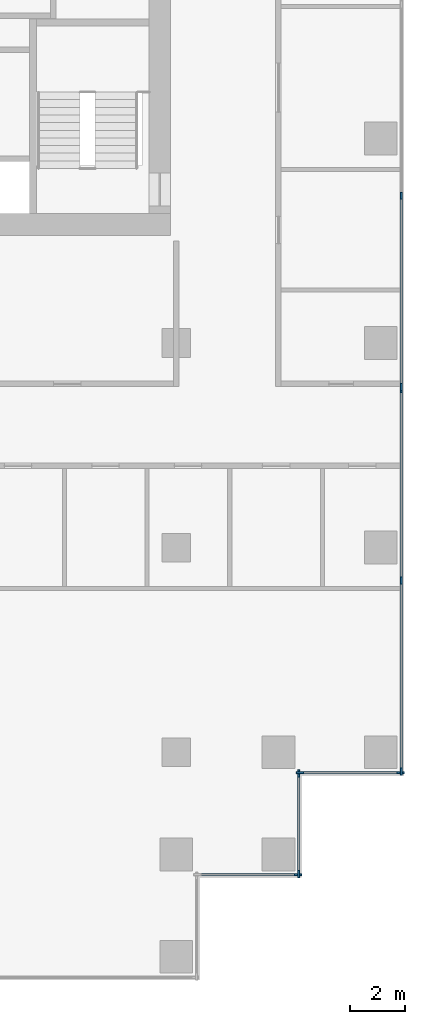
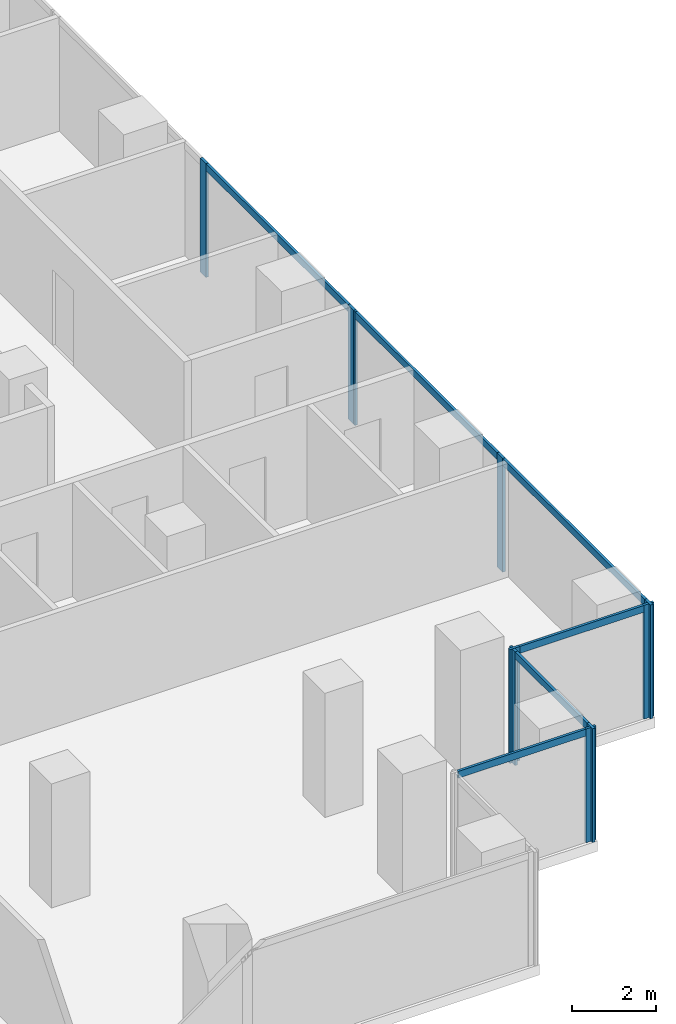
# One storey, part 3 of 10: 16 members, 5 elements without a shape of their own.
"""IFC4 building model written with IfcOpenShell, lengths in metres."""

from ifc_helpers import new_model, si_unit, direction, frame, origin, origin_2d, place, context, subcontext, project, spatial, rectangle, extrude, material, material_profile, profile_set, type_object, element, aggregate, save


model = new_model("IFC4")

# Units and contexts
model_context = context("Model", 3, precision=1e-05, world=origin(), true_north=direction((0.0, 1.0)))
body_context = subcontext(model_context, "Body", "Model", "MODEL_VIEW")
ifc_project = project(units=[si_unit("LENGTHUNIT", "METRE"), si_unit("AREAUNIT", "SQUARE_METRE"), si_unit("VOLUMEUNIT", "CUBIC_METRE"), si_unit("PLANEANGLEUNIT", "RADIAN"), si_unit("MASSUNIT", "GRAM", prefix="KILO")], contexts=[model_context])

# Site, building, storey
site_placement = place(None, origin())
site = spatial("IfcSite", under=ifc_project, at=site_placement, CompositionType="ELEMENT")
building_placement = place(site_placement, origin())
building = spatial("IfcBuilding", under=site, at=building_placement, Name="Pilkhan Gate Tower", CompositionType="ELEMENT")
storey_placement = place(building_placement, frame((0.0, 0.0, 169.300048828125)))
storey = spatial("IfcBuildingStorey", under=building, at=storey_placement, Name="L43", CompositionType="ELEMENT", Elevation=169.300048828125)

# Curtain wall, members
ifc_material_1 = material(Name="Pale anodised aluminium, clear low-iron double glazing", Category="aluminium")
curtain_wall_type = type_object("IfcCurtainWallType", Name="Office unitised curtain wall CW-O1", PredefinedType="USERDEFINED", material=ifc_material_1)
curtain_wall_1_placement = place(storey_placement, origin())
curtain_wall_1 = element("IfcCurtainWall", 1, at=curtain_wall_1_placement, inside=storey, type_object=curtain_wall_type, Name="Office unitised curtain wall CW-O1 L43 E", ObjectType="UNITISED CURTAIN WALL", PredefinedType="USERDEFINED")
ifc_material_2 = material(Name="Pale anodised aluminium", Category="aluminium")
ifc_material_profile_1 = material_profile(ifc_material_2, rectangle(XDim=0.070068359375, YDim=0.27490234375, at=origin_2d()), Name="Mullion 275x70")
ifc_profile_set_1 = profile_set([ifc_material_profile_1], Name="Pale anodised aluminium")
member_type_1 = type_object("IfcMemberType", Name="Mullion CW-O1 275x70", PredefinedType="MULLION", material=ifc_profile_set_1)
member_1_placement = place(storey_placement, frame((98.25, 51.784912109375, 0.0), z_axis=(0.0, 0.0, 1.0), x_axis=(-1.0, 0.0, 0.0)))
member_1 = element("IfcMember", 2, at=member_1_placement, type_object=member_type_1, Name="CW-O1 mullion 1", PredefinedType="MULLION", context=body_context, shape_type="SweptSolid", body=[
    extrude(rectangle(XDim=0.070068359375, YDim=0.27490234375, at=origin_2d()), origin(), (0.0, 0.0, 1.0), 3.300048828125),
])
member_2_placement = place(storey_placement, frame((98.25, 58.800048828125, 0.0), z_axis=(0.0, 0.0, 1.0), x_axis=(-1.0, 0.0, 0.0)))
member_2 = element("IfcMember", 3, at=member_2_placement, type_object=member_type_1, Name="CW-O1 mullion 2", PredefinedType="MULLION", context=body_context, shape_type="SweptSolid", body=[
    extrude(rectangle(XDim=0.070068359375, YDim=0.27490234375, at=origin_2d()), origin(), (0.0, 0.0, 1.0), 3.300048828125),
])
member_3_placement = place(storey_placement, frame((98.25, 65.81494140625, 0.0), z_axis=(0.0, 0.0, 1.0), x_axis=(-1.0, 0.0, 0.0)))
member_3 = element("IfcMember", 4, at=member_3_placement, type_object=member_type_1, Name="CW-O1 mullion 3", PredefinedType="MULLION", context=body_context, shape_type="SweptSolid", body=[
    extrude(rectangle(XDim=0.070068359375, YDim=0.27490234375, at=origin_2d()), origin(), (0.0, 0.0, 1.0), 3.300048828125),
])

curtain_wall_2_placement = place(storey_placement, origin())
curtain_wall_2 = element("IfcCurtainWall", 5, at=curtain_wall_2_placement, inside=storey, type_object=curtain_wall_type, Name="Office unitised curtain wall CW-O1 L43 E", ObjectType="UNITISED CURTAIN WALL", PredefinedType="USERDEFINED")
member_4_placement = place(storey_placement, frame((98.25, 65.885009765625, 0.0), z_axis=(0.0, 0.0, 1.0), x_axis=(-1.0, 0.0, 0.0)))
member_4 = element("IfcMember", 6, at=member_4_placement, type_object=member_type_1, Name="CW-O1 mullion 1", PredefinedType="MULLION", context=body_context, shape_type="SweptSolid", body=[
    extrude(rectangle(XDim=0.070068359375, YDim=0.27490234375, at=origin_2d()), origin(), (0.0, 0.0, 1.0), 3.300048828125),
])
member_5_placement = place(storey_placement, frame((98.25, 72.89990234375, 0.0), z_axis=(0.0, 0.0, 1.0), x_axis=(-1.0, 0.0, 0.0)))
member_5 = element("IfcMember", 7, at=member_5_placement, type_object=member_type_1, Name="CW-O1 mullion 2", PredefinedType="MULLION", context=body_context, shape_type="SweptSolid", body=[
    extrude(rectangle(XDim=0.070068359375, YDim=0.27490234375, at=origin_2d()), origin(), (0.0, 0.0, 1.0), 3.300048828125),
])

# Curtain wall, member
curtain_wall_3_placement = place(storey_placement, origin())
curtain_wall_3 = element("IfcCurtainWall", 8, at=curtain_wall_3_placement, inside=storey, type_object=curtain_wall_type, Name="Office unitised curtain wall CW-O1 L43 S", ObjectType="UNITISED CURTAIN WALL", PredefinedType="USERDEFINED")
member_6_placement = place(storey_placement, frame((94.465087890625, 48.0, 0.0), z_axis=(0.0, 0.0, 1.0), x_axis=(0.0, 1.0, 0.0)))
member_6 = element("IfcMember", 9, at=member_6_placement, type_object=member_type_1, Name="CW-O1 mullion 2", PredefinedType="MULLION", context=body_context, shape_type="SweptSolid", body=[
    extrude(rectangle(XDim=0.070068359375, YDim=0.27490234375, at=origin_2d()), origin(), (0.0, 0.0, 1.0), 3.300048828125),
])

# Curtain wall, members
curtain_wall_4_placement = place(storey_placement, origin())
curtain_wall_4 = element("IfcCurtainWall", 10, at=curtain_wall_4_placement, inside=storey, type_object=curtain_wall_type, Name="Office unitised curtain wall CW-O1 L43 E", ObjectType="UNITISED CURTAIN WALL", PredefinedType="USERDEFINED")
member_7_placement = place(storey_placement, frame((94.5, 48.034912109375, 0.0), z_axis=(0.0, 0.0, 1.0), x_axis=(-1.0, 0.0, 0.0)))
member_7 = element("IfcMember", 11, at=member_7_placement, type_object=member_type_1, Name="CW-O1 mullion 1", PredefinedType="MULLION", context=body_context, shape_type="SweptSolid", body=[
    extrude(rectangle(XDim=0.070068359375, YDim=0.27490234375, at=origin_2d()), origin(), (0.0, 0.0, 1.0), 3.300048828125),
])
member_8_placement = place(storey_placement, frame((94.5, 51.715087890625, 0.0), z_axis=(0.0, 0.0, 1.0), x_axis=(-1.0, 0.0, 0.0)))
member_8 = element("IfcMember", 12, at=member_8_placement, type_object=member_type_1, Name="CW-O1 mullion 2", PredefinedType="MULLION", context=body_context, shape_type="SweptSolid", body=[
    extrude(rectangle(XDim=0.070068359375, YDim=0.27490234375, at=origin_2d()), origin(), (0.0, 0.0, 1.0), 3.300048828125),
])

curtain_wall_5_placement = place(storey_placement, origin())
curtain_wall_5 = element("IfcCurtainWall", 13, at=curtain_wall_5_placement, inside=storey, type_object=curtain_wall_type, Name="Office unitised curtain wall CW-O1 L43 S", ObjectType="UNITISED CURTAIN WALL", PredefinedType="USERDEFINED")
member_9_placement = place(storey_placement, frame((94.534912109375, 51.75, 0.0), z_axis=(0.0, 0.0, 1.0), x_axis=(0.0, 1.0, 0.0)))
member_9 = element("IfcMember", 14, at=member_9_placement, type_object=member_type_1, Name="CW-O1 mullion 1", PredefinedType="MULLION", context=body_context, shape_type="SweptSolid", body=[
    extrude(rectangle(XDim=0.070068359375, YDim=0.27490234375, at=origin_2d()), origin(), (0.0, 0.0, 1.0), 3.300048828125),
])
member_10_placement = place(storey_placement, frame((98.215087890625, 51.75, 0.0), z_axis=(0.0, 0.0, 1.0), x_axis=(0.0, 1.0, 0.0)))
member_10 = element("IfcMember", 15, at=member_10_placement, type_object=member_type_1, Name="CW-O1 mullion 2", PredefinedType="MULLION", context=body_context, shape_type="SweptSolid", body=[
    extrude(rectangle(XDim=0.070068359375, YDim=0.27490234375, at=origin_2d()), origin(), (0.0, 0.0, 1.0), 3.300048828125),
])

# Member
ifc_material_profile_2 = material_profile(ifc_material_2, rectangle(XDim=0.070068359375, YDim=0.199951171875, at=origin_2d()), Name="Transom 200x70")
ifc_profile_set_2 = profile_set([ifc_material_profile_2], Name="Pale anodised aluminium")
member_type_2 = type_object("IfcMemberType", Name="Transom CW-O1 200x70", PredefinedType="USERDEFINED", material=ifc_profile_set_2)
member_11_placement = place(storey_placement, frame((98.25, 51.820068359375, 3.199951171875), z_axis=(0.0, 1.0, 0.0), x_axis=(-1.0, 0.0, 0.0)))
member_11 = element("IfcMember", 16, at=member_11_placement, type_object=member_type_2, Name="CW-O1 transom 1", ObjectType="TRANSOM", PredefinedType="USERDEFINED", context=body_context, shape_type="SweptSolid", body=[
    extrude(rectangle(XDim=0.070068359375, YDim=0.199951171875, at=origin_2d()), origin(), (0.0, 0.0, 1.0), 6.94482421875),
])

member_12_placement = place(storey_placement, frame((98.25, 58.8349609375, 3.199951171875), z_axis=(0.0, 1.0, 0.0), x_axis=(-1.0, 0.0, 0.0)))
member_12 = element("IfcMember", 17, at=member_12_placement, type_object=member_type_2, Name="CW-O1 transom 2", ObjectType="TRANSOM", PredefinedType="USERDEFINED", context=body_context, shape_type="SweptSolid", body=[
    extrude(rectangle(XDim=0.070068359375, YDim=0.199951171875, at=origin_2d()), origin(), (0.0, 0.0, 1.0), 6.945068359375),
])

aggregate(curtain_wall_1, [member_1, member_2, member_3, member_11, member_12])

member_13_placement = place(storey_placement, frame((98.25, 65.919921875, 3.199951171875), z_axis=(0.0, 1.0, 0.0), x_axis=(-1.0, 0.0, 0.0)))
member_13 = element("IfcMember", 18, at=member_13_placement, type_object=member_type_2, Name="CW-O1 transom 1", ObjectType="TRANSOM", PredefinedType="USERDEFINED", context=body_context, shape_type="SweptSolid", body=[
    extrude(rectangle(XDim=0.070068359375, YDim=0.199951171875, at=origin_2d()), origin(), (0.0, 0.0, 1.0), 6.945068359375),
])

aggregate(curtain_wall_2, [member_4, member_5, member_13])

member_14_placement = place(storey_placement, frame((90.820068359375, 48.0, 3.199951171875), z_axis=(1.0, 0.0, 0.0), x_axis=(0.0, 1.0, 0.0)))
member_14 = element("IfcMember", 19, at=member_14_placement, type_object=member_type_2, Name="CW-O1 transom 1", ObjectType="TRANSOM", PredefinedType="USERDEFINED", context=body_context, shape_type="SweptSolid", body=[
    extrude(rectangle(XDim=0.070068359375, YDim=0.199951171875, at=origin_2d()), origin(), (0.0, 0.0, 1.0), 3.60986328125),
])

aggregate(curtain_wall_3, [member_6, member_14])

member_15_placement = place(storey_placement, frame((94.5, 48.070068359375, 3.199951171875), z_axis=(0.0, 1.0, 0.0), x_axis=(-1.0, 0.0, 0.0)))
member_15 = element("IfcMember", 20, at=member_15_placement, type_object=member_type_2, Name="CW-O1 transom 1", ObjectType="TRANSOM", PredefinedType="USERDEFINED", context=body_context, shape_type="SweptSolid", body=[
    extrude(rectangle(XDim=0.070068359375, YDim=0.199951171875, at=origin_2d()), origin(), (0.0, 0.0, 1.0), 3.60986328125),
])

aggregate(curtain_wall_4, [member_7, member_8, member_15])

member_16_placement = place(storey_placement, frame((94.570068359375, 51.75, 3.199951171875), z_axis=(1.0, 0.0, 0.0), x_axis=(0.0, 1.0, 0.0)))
member_16 = element("IfcMember", 21, at=member_16_placement, type_object=member_type_2, Name="CW-O1 transom 1", ObjectType="TRANSOM", PredefinedType="USERDEFINED", context=body_context, shape_type="SweptSolid", body=[
    extrude(rectangle(XDim=0.070068359375, YDim=0.199951171875, at=origin_2d()), origin(), (0.0, 0.0, 1.0), 3.60986328125),
])

aggregate(curtain_wall_5, [member_9, member_10, member_16])

save(model, "model.ifc")
